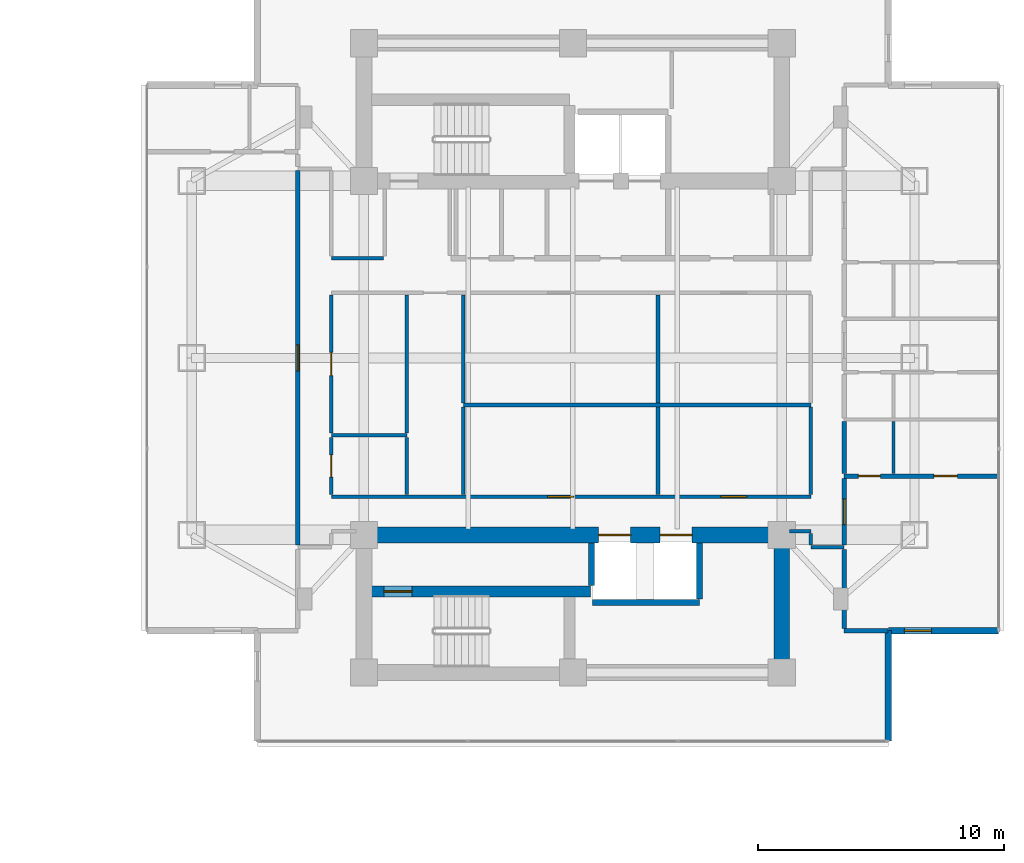
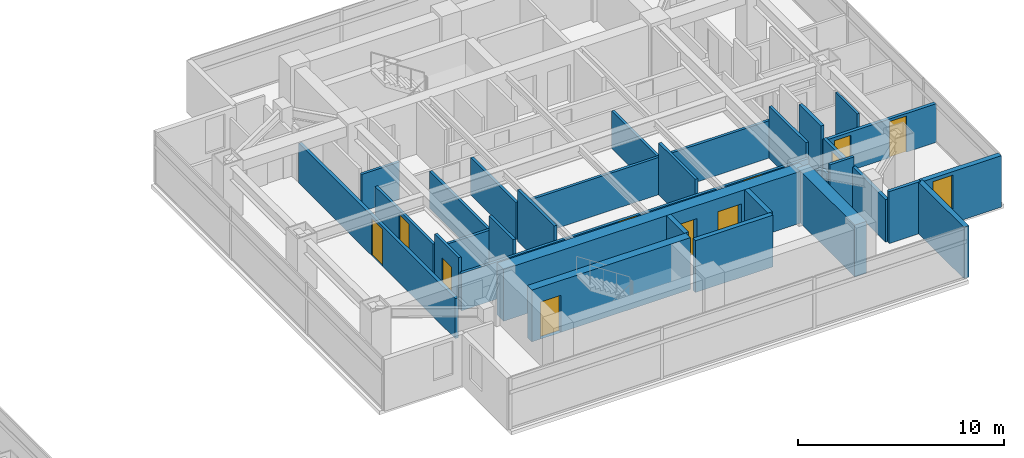
# One storey, part 18 of 27: 31 walls, 11 doors, 1 window, 12 openings.
"""IFC4 building model written with IfcOpenShell, lengths in metres."""

from ifc_helpers import new_model, si_unit, direction, frame, frame_2d, origin, place, context, subcontext, project, spatial, rectangle, extrude, material, layer, layer_set, type_object, element, fill, save


model = new_model("IFC4")

# Units and contexts
model_context = context("Model", 3, precision=1e-05, world=origin(), true_north=direction((0.0, 1.0)))
body_context = subcontext(model_context, "Body", "Model", "MODEL_VIEW")
ifc_project = project(units=[si_unit("LENGTHUNIT", "METRE"), si_unit("AREAUNIT", "SQUARE_METRE"), si_unit("VOLUMEUNIT", "CUBIC_METRE"), si_unit("PLANEANGLEUNIT", "RADIAN"), si_unit("MASSUNIT", "GRAM", prefix="KILO")], contexts=[model_context])

# Site, building, storey
site_placement = place(None, origin())
site = spatial("IfcSite", under=ifc_project, at=site_placement, CompositionType="ELEMENT")
building_placement = place(site_placement, origin())
building = spatial("IfcBuilding", under=site, at=building_placement, Name="Mirazonda Arch Towers", CompositionType="ELEMENT")
storey_placement = place(building_placement, frame((0.0, 0.0, 124.699951171875)))
storey = spatial("IfcBuildingStorey", under=building, at=storey_placement, Name="L35", CompositionType="ELEMENT", Elevation=124.699951171875)

# Wall, opening, door
ifc_material_1 = material(Name="Concrete C50/60", Category="concrete")
ifc_layer_1 = layer(ifc_material_1, 0.449951171875, Name="WALL-CORE-450")
ifc_layer_set_1 = layer_set([ifc_layer_1], Name="Concrete C50/60")
wall_type_1 = type_object("IfcWallType", Name="WALL-CORE-450", PredefinedType="SHEAR", material=ifc_layer_set_1)
wall_1_placement = place(storey_placement, frame((68.320068359375, 18.5, 0.0), z_axis=(0.0, 0.0, 1.0), x_axis=(1.0, 0.0, 0.0)))
wall_1 = element("IfcWall", 1, at=wall_1_placement, inside=storey, type_object=wall_type_1, Name="L35 Stair Core Shear Wall 014", PredefinedType="SHEAR", context=body_context, shape_type="SweptSolid", body=[
    extrude(rectangle(XDim=8.89990234375, YDim=0.449951171875, at=frame_2d((4.449951171875, 0.0))), origin(), (0.0, 0.0, 1.0), 3.080078125),
])
opening_1_placement = place(wall_1_placement, frame((0.4951171875, 0.0, 0.0)))
opening_1 = element("IfcOpeningElement", 2, at=opening_1_placement, cuts=wall_1, Name="Opening DR-135", PredefinedType="OPENING", context=body_context, shape_type="SweptSolid", body=[
    extrude(rectangle(XDim=1.14990234375, YDim=2.199951171875, at=frame_2d((0.574951171875, 1.10009765625))), frame((0.0, 0.23486328125, 0.0), z_axis=(0.0, -1.0, 0.0), x_axis=(1.0, 0.0, 0.0)), (0.0, 0.0, 1.0), 0.469970703125),
])
ifc_material_2 = material(Name="Architectural Brushed Steel S355", Category="steel")
door_type_1 = type_object("IfcDoorType", Name="DOOR-STAIR-FD90-1150", OperationType="NOTDEFINED", PredefinedType="DOOR", material=ifc_material_2)
door_1_placement = place(opening_1_placement, origin())
door_1 = element("IfcDoor", 3, at=door_1_placement, inside=storey, type_object=door_type_1, Name="L35 East Protected Stair South Door", OperationType="SINGLE_SWING_LEFT", OverallHeight=2.199951171875, OverallWidth=1.14990234375, PredefinedType="DOOR", context=body_context, shape_type="SweptSolid", body=[
    extrude(rectangle(XDim=1.14990234375, YDim=2.199951171875, at=frame_2d((0.574951171875, 1.10009765625))), frame((0.0, 0.02490234375, 0.0), z_axis=(0.0, -1.0, 0.0), x_axis=(1.0, 0.0, 0.0)), (0.0, 0.0, 1.0), 0.050048828125),
])
fill(opening_1, door_1)

# Wall
ifc_material_3 = material(Name="Concrete C60/75", Category="concrete")
ifc_layer_2 = layer(ifc_material_3, 0.64990234375, Name="WALL-CORE-650")
ifc_layer_set_2 = layer_set([ifc_layer_2], Name="Concrete C60/75")
wall_type_2 = type_object("IfcWallType", Name="WALL-CORE-650", PredefinedType="SHEAR", material=ifc_layer_set_2)
wall_2_placement = place(storey_placement, frame((85.0, 15.199951171875, 0.0), z_axis=(0.0, 0.0, 1.0), x_axis=(0.0, 1.0, 0.0)))
element("IfcWall", 4, at=wall_2_placement, inside=storey, type_object=wall_type_2, Name="L35 T2S-E Core Shear Wall", PredefinedType="SHEAR", context=body_context, shape_type="SweptSolid", body=[
    extrude(rectangle(XDim=5.60009765625, YDim=0.64990234375, at=frame_2d((2.800048828125, 0.0))), origin(), (0.0, 0.0, 1.0), 3.080078125),
])

# Wall, openings, doors
wall_3_placement = place(storey_placement, frame((68.0, 20.800048828125, 0.0), z_axis=(0.0, 0.0, 1.0), x_axis=(1.0, 0.0, 0.0)))
wall_3 = element("IfcWall", 5, at=wall_3_placement, inside=storey, type_object=wall_type_2, Name="L35 T2S-N Core Shear Wall", PredefinedType="SHEAR", context=body_context, shape_type="SweptSolid", body=[
    extrude(rectangle(XDim=17.0, YDim=0.64990234375, at=frame_2d((8.5, 0.0))), origin(), (0.0, 0.0, 1.0), 3.080078125),
])
opening_2_placement = place(wall_3_placement, frame((9.550048828125, 0.0, 0.0)))
opening_2 = element("IfcOpeningElement", 6, at=opening_2_placement, cuts=wall_3, Name="Opening LD-111", PredefinedType="OPENING", context=body_context, shape_type="SweptSolid", body=[
    extrude(rectangle(XDim=1.300048828125, YDim=2.300048828125, at=frame_2d((0.64990234375, 1.14990234375))), frame((0.0, 0.3349609375, 0.0), z_axis=(0.0, -1.0, 0.0), x_axis=(1.0, 0.0, 0.0)), (0.0, 0.0, 1.0), 0.669921875),
])
opening_3_placement = place(wall_3_placement, frame((12.050048828125, 0.0, 0.0)))
opening_3 = element("IfcOpeningElement", 7, at=opening_3_placement, cuts=wall_3, Name="Opening LD-111", PredefinedType="OPENING", context=body_context, shape_type="SweptSolid", body=[
    extrude(rectangle(XDim=1.300048828125, YDim=2.300048828125, at=frame_2d((0.64990234375, 1.14990234375))), frame((0.0, 0.3349609375, 0.0), z_axis=(0.0, -1.0, 0.0), x_axis=(1.0, 0.0, 0.0)), (0.0, 0.0, 1.0), 0.669921875),
])
door_type_2 = type_object("IfcDoorType", Name="DOOR-LIFT-LAND-1300", OperationType="NOTDEFINED", PredefinedType="DOOR", material=ifc_material_2)
door_2_placement = place(opening_2_placement, origin())
door_2 = element("IfcDoor", 8, at=door_2_placement, inside=storey, type_object=door_type_2, Name="L35 Lift Landing Sliding Door PL-T2H1", OperationType="DOUBLE_DOOR_SLIDING", OverallHeight=2.300048828125, OverallWidth=1.300048828125, PredefinedType="DOOR", context=body_context, shape_type="SweptSolid", body=[
    extrude(rectangle(XDim=1.300048828125, YDim=2.300048828125, at=frame_2d((0.64990234375, 1.14990234375))), frame((0.0, 0.02490234375, 0.0), z_axis=(0.0, -1.0, 0.0), x_axis=(1.0, 0.0, 0.0)), (0.0, 0.0, 1.0), 0.050048828125),
])
fill(opening_2, door_2)
door_3_placement = place(opening_3_placement, origin())
door_3 = element("IfcDoor", 9, at=door_3_placement, inside=storey, type_object=door_type_2, Name="L35 Lift Landing Sliding Door PL-T2H2", OperationType="DOUBLE_DOOR_SLIDING", OverallHeight=2.300048828125, OverallWidth=1.300048828125, PredefinedType="DOOR", context=body_context, shape_type="SweptSolid", body=[
    extrude(rectangle(XDim=1.300048828125, YDim=2.300048828125, at=frame_2d((0.64990234375, 1.14990234375))), frame((0.0, 0.02490234375, 0.0), z_axis=(0.0, -1.0, 0.0), x_axis=(1.0, 0.0, 0.0)), (0.0, 0.0, 1.0), 0.050048828125),
])
fill(opening_3, door_3)

# Wall, opening, window
ifc_material_4 = material(Name="Precast Concrete C40/50", Category="concrete")
ifc_layer_3 = layer(ifc_material_4, 0.280029296875, Name="WALL-EXT-WALL-280")
ifc_layer_set_3 = layer_set([ifc_layer_3], Name="Precast Concrete C40/50")
wall_type_3 = type_object("IfcWallType", Name="WALL-EXT-WALL-280", PredefinedType="SOLIDWALL", material=ifc_layer_set_3)
wall_4_placement = place(storey_placement, frame((89.33447265625, 16.90087890625, 0.0), z_axis=(0.0, 0.0, 1.0), x_axis=(1.0, 0.0, 0.0)))
wall_4 = element("IfcWall", 10, at=wall_4_placement, inside=storey, type_object=wall_type_3, Name="L35 T2 Corner Notch Return Wall WL-L35-T2-CSE1", PredefinedType="SOLIDWALL", context=body_context, shape_type="SweptSolid", body=[
    extrude(rectangle(XDim=4.486572265625, YDim=0.280029296875, at=frame_2d((2.2431640625, 0.0))), origin(), (0.0, 0.0, 1.0), 3.06005859375),
])
opening_4_placement = place(wall_4_placement, frame((0.64990234375, 0.0, 0.85009765625)))
opening_4 = element("IfcOpeningElement", 11, at=opening_4_placement, cuts=wall_4, Name="Opening WN-108", PredefinedType="OPENING", context=body_context, shape_type="SweptSolid", body=[
    extrude(rectangle(XDim=1.10009765625, YDim=2.0, at=frame_2d((0.550048828125, 1.0))), frame((0.0, 0.14990234375, 0.0), z_axis=(0.0, -1.0, 0.0), x_axis=(1.0, 0.0, 0.0)), (0.0, 0.0, 1.0), 0.300048828125),
])
ifc_material_5 = material(Name="Insulated Low-E Solar Glass", Category="glass")
window_type = type_object("IfcWindowType", Name="WIN-NOTCH-1100x2000", PartitioningType="SINGLE_PANEL", PredefinedType="WINDOW", material=ifc_material_5)
window_placement = place(opening_4_placement, origin())
window = element("IfcWindow", 12, at=window_placement, inside=storey, type_object=window_type, Name="L35 Punched Facade Window WN-L35-T2-CSE1", OverallHeight=2.0, OverallWidth=1.10009765625, PartitioningType="SINGLE_PANEL", PredefinedType="WINDOW", context=body_context, shape_type="SweptSolid", body=[
    extrude(rectangle(XDim=1.10009765625, YDim=2.0, at=frame_2d((0.550048828125, 1.0))), frame((0.0, 0.030029296875, 0.0), z_axis=(0.0, -1.0, 0.0), x_axis=(1.0, 0.0, 0.0)), (0.0, 0.0, 1.0), 0.06005859375),
])
fill(opening_4, window)

# Walls
wall_5_placement = place(storey_placement, frame((89.33447265625, 12.414306640625, 0.0), z_axis=(0.0, 0.0, 1.0), x_axis=(0.0, 1.0, 0.0)))
element("IfcWall", 13, at=wall_5_placement, inside=storey, type_object=wall_type_3, Name="L35 T2 Corner Notch Return Wall WL-L35-T2-CSE2", PredefinedType="SOLIDWALL", context=body_context, shape_type="SweptSolid", body=[
    extrude(rectangle(XDim=4.486572265625, YDim=0.280029296875, at=frame_2d((2.2431640625, 0.0))), origin(), (0.0, 0.0, 1.0), 3.06005859375),
])
ifc_material_6 = material(Name="Fire-Rated Gypsum Stud Partition")
ifc_layer_4 = layer(ifc_material_6, 0.14990234375, Name="WALL-PART-CORR-150")
ifc_layer_set_4 = layer_set([ifc_layer_4], Name="Fire-Rated Gypsum Stud Partition")
wall_type_4 = type_object("IfcWallType", Name="WALL-PART-CORR-150", PredefinedType="PARTITIONING", material=ifc_layer_set_4)
wall_6_placement = place(storey_placement, frame((86.179931640625, 20.300048828125, 0.0), z_axis=(0.0, 0.0, 1.0), x_axis=(1.0, 0.0, 0.0)))
element("IfcWall", 14, at=wall_6_placement, inside=storey, type_object=wall_type_4, Name="L35 Interior Partition 018", PredefinedType="PARTITIONING", context=body_context, shape_type="SweptSolid", body=[
    extrude(rectangle(XDim=1.360107421875, YDim=0.14990234375, at=frame_2d((0.68017578125, 0.0))), origin(), (0.0, 0.0, 1.0), 3.080078125),
])
wall_7_placement = place(storey_placement, frame((85.320068359375, 20.949951171875, 0.0), z_axis=(0.0, 0.0, 1.0), x_axis=(1.0, 0.0, 0.0)))
element("IfcWall", 15, at=wall_7_placement, inside=storey, type_object=wall_type_4, Name="L35 Interior Partition 020", PredefinedType="PARTITIONING", context=body_context, shape_type="SweptSolid", body=[
    extrude(rectangle(XDim=0.85986328125, YDim=0.14990234375, at=frame_2d((0.429931640625, 0.0))), origin(), (0.0, 0.0, 1.0), 2.47216796875),
])

# Wall, openings, doors
wall_8_placement = place(storey_placement, frame((66.679931640625, 22.35009765625, 0.0), z_axis=(0.0, 0.0, 1.0), x_axis=(1.0, 0.0, 0.0)))
wall_8 = element("IfcWall", 16, at=wall_8_placement, inside=storey, type_object=wall_type_4, Name="L35 Interior Partition 021", PredefinedType="PARTITIONING", context=body_context, shape_type="SweptSolid", body=[
    extrude(rectangle(XDim=19.5, YDim=0.14990234375, at=frame_2d((9.75, 0.0))), origin(), (0.0, 0.0, 1.0), 2.216064453125),
])
opening_5_placement = place(wall_8_placement, frame((8.801513671875, 0.0, 0.0)))
opening_5 = element("IfcOpeningElement", 17, at=opening_5_placement, cuts=wall_8, Name="Opening DR-121", PredefinedType="OPENING", context=body_context, shape_type="SweptSolid", body=[
    extrude(rectangle(XDim=1.050048828125, YDim=2.199951171875, at=frame_2d((0.52490234375, 1.10009765625))), frame((0.0, 0.0849609375, 0.0), z_axis=(0.0, -1.0, 0.0), x_axis=(1.0, 0.0, 0.0)), (0.0, 0.0, 1.0), 0.169921875),
])
opening_6_placement = place(wall_8_placement, frame((15.846435546875, 0.0, 0.0)))
opening_6 = element("IfcOpeningElement", 18, at=opening_6_placement, cuts=wall_8, Name="Opening DR-121", PredefinedType="OPENING", context=body_context, shape_type="SweptSolid", body=[
    extrude(rectangle(XDim=1.050048828125, YDim=2.199951171875, at=frame_2d((0.52490234375, 1.10009765625))), frame((0.0, 0.0849609375, 0.0), z_axis=(0.0, -1.0, 0.0), x_axis=(1.0, 0.0, 0.0)), (0.0, 0.0, 1.0), 0.169921875),
])
door_type_3 = type_object("IfcDoorType", Name="DOOR-SUITE-FD60-1050", OperationType="NOTDEFINED", PredefinedType="DOOR", material=ifc_material_2)
door_4_placement = place(opening_5_placement, origin())
door_4 = element("IfcDoor", 19, at=door_4_placement, inside=storey, type_object=door_type_3, Name="L35 Executive Club Lounge Door", OperationType="SINGLE_SWING_LEFT", OverallHeight=2.199951171875, OverallWidth=1.050048828125, PredefinedType="DOOR", context=body_context, shape_type="SweptSolid", body=[
    extrude(rectangle(XDim=1.050048828125, YDim=2.199951171875, at=frame_2d((0.52490234375, 1.10009765625))), frame((0.0, 0.02490234375, 0.0), z_axis=(0.0, -1.0, 0.0), x_axis=(1.0, 0.0, 0.0)), (0.0, 0.0, 1.0), 0.050048828125),
])
fill(opening_5, door_4)
door_5_placement = place(opening_6_placement, origin())
door_5 = element("IfcDoor", 20, at=door_5_placement, inside=storey, type_object=door_type_3, Name="L35 Business Reading Study Door", OperationType="SINGLE_SWING_RIGHT", OverallHeight=2.199951171875, OverallWidth=1.050048828125, PredefinedType="DOOR", context=body_context, shape_type="SweptSolid", body=[
    extrude(rectangle(XDim=1.050048828125, YDim=2.199951171875, at=frame_2d((0.52490234375, 1.10009765625))), frame((0.0, 0.02490234375, 0.0), z_axis=(0.0, -1.0, 0.0), x_axis=(1.0, 0.0, 0.0)), (0.0, 0.0, 1.0), 0.050048828125),
])
fill(opening_6, door_5)

# Walls
wall_9_placement = place(storey_placement, frame((66.679931640625, 24.85009765625, 0.0), z_axis=(0.0, 0.0, 1.0), x_axis=(1.0, 0.0, 0.0)))
element("IfcWall", 21, at=wall_9_placement, inside=storey, type_object=wall_type_4, Name="L35 Interior Partition 025", PredefinedType="PARTITIONING", context=body_context, shape_type="SweptSolid", body=[
    extrude(rectangle(XDim=3.070068359375, YDim=0.14990234375, at=frame_2d((1.53515625, 0.0))), origin(), (0.0, 0.0, 1.0), 2.216064453125),
])
wall_10_placement = place(storey_placement, frame((72.050048828125, 26.0849609375, 0.0), z_axis=(0.0, 0.0, 1.0), x_axis=(1.0, 0.0, 0.0)))
element("IfcWall", 22, at=wall_10_placement, inside=storey, type_object=wall_type_4, Name="L35 Interior Partition 031", PredefinedType="PARTITIONING", context=body_context, shape_type="SweptSolid", body=[
    extrude(rectangle(XDim=14.1298828125, YDim=0.14990234375, at=frame_2d((7.06494140625, 0.0))), origin(), (0.0, 0.0, 1.0), 2.216064453125),
])
wall_11_placement = place(storey_placement, frame((66.679931640625, 32.050048828125, 0.0), z_axis=(0.0, 0.0, 1.0), x_axis=(1.0, 0.0, 0.0)))
element("IfcWall", 23, at=wall_11_placement, inside=storey, type_object=wall_type_4, Name="L35 Interior Partition 041", PredefinedType="PARTITIONING", context=body_context, shape_type="SweptSolid", body=[
    extrude(rectangle(XDim=2.1201171875, YDim=0.14990234375, at=frame_2d((1.06005859375, 0.0))), origin(), (0.0, 0.0, 1.0), 2.216064453125),
])

# Wall, opening, door
wall_12_placement = place(storey_placement, frame((66.679931640625, 22.43505859375, 0.0), z_axis=(0.0, 0.0, 1.0), x_axis=(0.0, 1.0, 0.0)))
wall_12 = element("IfcWall", 24, at=wall_12_placement, inside=storey, type_object=wall_type_4, Name="L35 Interior Partition 119", PredefinedType="PARTITIONING", context=body_context, shape_type="SweptSolid", body=[
    extrude(rectangle(XDim=2.329833984375, YDim=0.14990234375, at=frame_2d((1.1650390625, 0.0))), origin(), (0.0, 0.0, 1.0), 3.080078125),
])
opening_7_placement = place(wall_12_placement, frame((0.715087890625, 0.0, 0.0)))
opening_7 = element("IfcOpeningElement", 25, at=opening_7_placement, cuts=wall_12, Name="Opening DR-120", PredefinedType="OPENING", context=body_context, shape_type="SweptSolid", body=[
    extrude(rectangle(XDim=0.89990234375, YDim=2.10009765625, at=frame_2d((0.449951171875, 1.050048828125))), frame((0.0, 0.0849609375, 0.0), z_axis=(0.0, -1.0, 0.0), x_axis=(1.0, 0.0, 0.0)), (0.0, 0.0, 1.0), 0.169921875),
])
door_type_4 = type_object("IfcDoorType", Name="DOOR-WC-900", OperationType="NOTDEFINED", PredefinedType="DOOR", material=ifc_material_2)
door_6_placement = place(opening_7_placement, origin())
door_6 = element("IfcDoor", 26, at=door_6_placement, inside=storey, type_object=door_type_4, Name="L35 Tower 2 Common Accessible WC Door", OperationType="SINGLE_SWING_RIGHT", OverallHeight=2.10009765625, OverallWidth=0.89990234375, PredefinedType="DOOR", context=body_context, shape_type="SweptSolid", body=[
    extrude(rectangle(XDim=0.89990234375, YDim=2.10009765625, at=frame_2d((0.449951171875, 1.050048828125))), frame((0.0, 0.02490234375, 0.0), z_axis=(0.0, -1.0, 0.0), x_axis=(1.0, 0.0, 0.0)), (0.0, 0.0, 1.0), 0.050048828125),
])
fill(opening_7, door_6)

wall_13_placement = place(storey_placement, frame((66.679931640625, 24.93505859375, 0.0), z_axis=(0.0, 0.0, 1.0), x_axis=(0.0, 1.0, 0.0)))
wall_13 = element("IfcWall", 27, at=wall_13_placement, inside=storey, type_object=wall_type_4, Name="L35 Interior Partition 120", PredefinedType="PARTITIONING", context=body_context, shape_type="SweptSolid", body=[
    extrude(rectangle(XDim=5.6298828125, YDim=0.14990234375, at=frame_2d((2.81494140625, 0.0))), origin(), (0.0, 0.0, 1.0), 2.3759765625),
])
opening_8_placement = place(wall_13_placement, frame((2.340087890625, 0.0, 0.0)))
opening_8 = element("IfcOpeningElement", 28, at=opening_8_placement, cuts=wall_13, Name="Opening DR-104", PredefinedType="OPENING", context=body_context, shape_type="SweptSolid", body=[
    extrude(rectangle(XDim=0.949951171875, YDim=2.14990234375, at=frame_2d((0.47509765625, 1.074951171875))), frame((0.0, 0.0849609375, 0.0), z_axis=(0.0, -1.0, 0.0), x_axis=(1.0, 0.0, 0.0)), (0.0, 0.0, 1.0), 0.169921875),
])
door_type_5 = type_object("IfcDoorType", Name="DOOR-ROOM-950", OperationType="NOTDEFINED", PredefinedType="DOOR", material=ifc_material_2)
door_7_placement = place(opening_8_placement, origin())
door_7 = element("IfcDoor", 29, at=door_7_placement, inside=storey, type_object=door_type_5, Name="L35 L35 East Courtyard Reading Study Door", OperationType="SINGLE_SWING_LEFT", OverallHeight=2.14990234375, OverallWidth=0.949951171875, PredefinedType="DOOR", context=body_context, shape_type="SweptSolid", body=[
    extrude(rectangle(XDim=0.949951171875, YDim=2.14990234375, at=frame_2d((0.47509765625, 1.074951171875))), frame((0.0, 0.02490234375, 0.0), z_axis=(0.0, -1.0, 0.0), x_axis=(1.0, 0.0, 0.0)), (0.0, 0.0, 1.0), 0.050048828125),
])
fill(opening_8, door_7)

# Walls
wall_14_placement = place(storey_placement, frame((69.743408203125, 22.43505859375, 0.0), z_axis=(0.0, 0.0, 1.0), x_axis=(0.0, 1.0, 0.0)))
element("IfcWall", 30, at=wall_14_placement, inside=storey, type_object=wall_type_4, Name="L35 Interior Partition 123", PredefinedType="PARTITIONING", context=body_context, shape_type="SweptSolid", body=[
    extrude(rectangle(XDim=2.329833984375, YDim=0.14990234375, at=frame_2d((1.1650390625, 0.0))), origin(), (0.0, 0.0, 1.0), 3.080078125),
])
wall_15_placement = place(storey_placement, frame((69.743408203125, 24.93505859375, 0.0), z_axis=(0.0, 0.0, 1.0), x_axis=(0.0, 1.0, 0.0)))
element("IfcWall", 31, at=wall_15_placement, inside=storey, type_object=wall_type_4, Name="L35 Interior Partition 124", PredefinedType="PARTITIONING", context=body_context, shape_type="SweptSolid", body=[
    extrude(rectangle(XDim=5.6298828125, YDim=0.14990234375, at=frame_2d((2.81494140625, 0.0))), origin(), (0.0, 0.0, 1.0), 2.216064453125),
])
wall_16_placement = place(storey_placement, frame((72.050048828125, 22.43505859375, 0.0), z_axis=(0.0, 0.0, 1.0), x_axis=(0.0, 1.0, 0.0)))
element("IfcWall", 32, at=wall_16_placement, inside=storey, type_object=wall_type_4, Name="L35 Interior Partition 127", PredefinedType="PARTITIONING", context=body_context, shape_type="SweptSolid", body=[
    extrude(rectangle(XDim=3.56494140625, YDim=0.14990234375, at=frame_2d((1.782470703125, 0.0))), origin(), (0.0, 0.0, 1.0), 3.080078125),
])
wall_17_placement = place(storey_placement, frame((72.050048828125, 26.169921875, 0.0), z_axis=(0.0, 0.0, 1.0), x_axis=(0.0, 1.0, 0.0)))
element("IfcWall", 33, at=wall_17_placement, inside=storey, type_object=wall_type_4, Name="L35 Interior Partition 128", PredefinedType="PARTITIONING", context=body_context, shape_type="SweptSolid", body=[
    extrude(rectangle(XDim=4.39501953125, YDim=0.14990234375, at=frame_2d((2.197509765625, 0.0))), origin(), (0.0, 0.0, 1.0), 2.216064453125),
])
wall_18_placement = place(storey_placement, frame((79.962890625, 22.43505859375, 0.0), z_axis=(0.0, 0.0, 1.0), x_axis=(0.0, 1.0, 0.0)))
element("IfcWall", 34, at=wall_18_placement, inside=storey, type_object=wall_type_4, Name="L35 Interior Partition 134", PredefinedType="PARTITIONING", context=body_context, shape_type="SweptSolid", body=[
    extrude(rectangle(XDim=3.56494140625, YDim=0.14990234375, at=frame_2d((1.782470703125, 0.0))), origin(), (0.0, 0.0, 1.0), 3.080078125),
])
wall_19_placement = place(storey_placement, frame((79.962890625, 26.169921875, 0.0), z_axis=(0.0, 0.0, 1.0), x_axis=(0.0, 1.0, 0.0)))
element("IfcWall", 35, at=wall_19_placement, inside=storey, type_object=wall_type_4, Name="L35 Interior Partition 135", PredefinedType="PARTITIONING", context=body_context, shape_type="SweptSolid", body=[
    extrude(rectangle(XDim=4.39501953125, YDim=0.14990234375, at=frame_2d((2.197509765625, 0.0))), origin(), (0.0, 0.0, 1.0), 2.216064453125),
])
wall_20_placement = place(storey_placement, frame((86.179931640625, 20.385009765625, 0.0), z_axis=(0.0, 0.0, 1.0), x_axis=(0.0, 1.0, 0.0)))
element("IfcWall", 36, at=wall_20_placement, inside=storey, type_object=wall_type_4, Name="L35 Interior Partition 141", PredefinedType="PARTITIONING", context=body_context, shape_type="SweptSolid", body=[
    extrude(rectangle(XDim=0.47998046875, YDim=0.14990234375, at=frame_2d((0.239990234375, 0.0))), origin(), (0.0, 0.0, 1.0), 2.47216796875),
])
wall_21_placement = place(storey_placement, frame((86.179931640625, 22.43505859375, 0.0), z_axis=(0.0, 0.0, 1.0), x_axis=(0.0, 1.0, 0.0)))
element("IfcWall", 37, at=wall_21_placement, inside=storey, type_object=wall_type_4, Name="L35 Interior Partition 142", PredefinedType="PARTITIONING", context=body_context, shape_type="SweptSolid", body=[
    extrude(rectangle(XDim=3.56494140625, YDim=0.14990234375, at=frame_2d((1.782470703125, 0.0))), origin(), (0.0, 0.0, 1.0), 3.080078125),
])
ifc_material_7 = material(Name="Fire-Rated Gypsum Twin-Stud Assembly")
ifc_layer_5 = layer(ifc_material_7, 0.179931640625, Name="WALL-PART-DEMISE-180")
ifc_layer_set_5 = layer_set([ifc_layer_5], Name="Fire-Rated Gypsum Twin-Stud Assembly")
wall_type_5 = type_object("IfcWallType", Name="WALL-PART-DEMISE-180", PredefinedType="PARTITIONING", material=ifc_layer_set_5)
wall_22_placement = place(storey_placement, frame((87.5400390625, 16.90087890625, 0.0), z_axis=(0.0, 0.0, 1.0), x_axis=(1.0, 0.0, 0.0)))
element("IfcWall", 38, at=wall_22_placement, inside=storey, type_object=wall_type_5, Name="L35 Interior Partition 010", PredefinedType="PARTITIONING", context=body_context, shape_type="SweptSolid", body=[
    extrude(rectangle(XDim=1.7744140625, YDim=0.179931640625, at=frame_2d((0.88720703125, 0.0))), origin(), (0.0, 0.0, 1.0), 3.080078125),
])

# Wall, openings, doors
wall_23_placement = place(storey_placement, frame((87.5400390625, 23.19189453125, 0.0), z_axis=(0.0, 0.0, 1.0), x_axis=(1.0, 0.0, 0.0)))
wall_23 = element("IfcWall", 39, at=wall_23_placement, inside=storey, type_object=wall_type_5, Name="L35 Interior Partition 024", PredefinedType="PARTITIONING", context=body_context, shape_type="SweptSolid", body=[
    extrude(rectangle(XDim=6.281005859375, YDim=0.179931640625, at=frame_2d((3.140625, 0.0))), origin(), (0.0, 0.0, 1.0), 2.299072265625),
])
opening_9_placement = place(wall_23_placement, frame((3.650390625, 0.0, 0.0)))
opening_9 = element("IfcOpeningElement", 40, at=opening_9_placement, cuts=wall_23, Name="Opening DR-104", PredefinedType="OPENING", context=body_context, shape_type="SweptSolid", body=[
    extrude(rectangle(XDim=0.949951171875, YDim=2.14990234375, at=frame_2d((0.47509765625, 1.074951171875))), frame((0.0, 0.099853515625, 0.0), z_axis=(0.0, -1.0, 0.0), x_axis=(1.0, 0.0, 0.0)), (0.0, 0.0, 1.0), 0.199951171875),
])
opening_10_placement = place(wall_23_placement, frame((0.574951171875, 0.0, 0.0)))
opening_10 = element("IfcOpeningElement", 41, at=opening_10_placement, cuts=wall_23, Name="Opening DR-120", PredefinedType="OPENING", context=body_context, shape_type="SweptSolid", body=[
    extrude(rectangle(XDim=0.89990234375, YDim=2.10009765625, at=frame_2d((0.449951171875, 1.050048828125))), frame((0.0, 0.099853515625, 0.0), z_axis=(0.0, -1.0, 0.0), x_axis=(1.0, 0.0, 0.0)), (0.0, 0.0, 1.0), 0.199951171875),
])
door_8_placement = place(opening_9_placement, origin())
door_8 = element("IfcDoor", 42, at=door_8_placement, inside=storey, type_object=door_type_5, Name="L35 Guestroom Study 1 Door", OperationType="SINGLE_SWING_LEFT", OverallHeight=2.14990234375, OverallWidth=0.949951171875, PredefinedType="DOOR", context=body_context, shape_type="SweptSolid", body=[
    extrude(rectangle(XDim=0.949951171875, YDim=2.14990234375, at=frame_2d((0.47509765625, 1.074951171875))), frame((0.0, 0.02490234375, 0.0), z_axis=(0.0, -1.0, 0.0), x_axis=(1.0, 0.0, 0.0)), (0.0, 0.0, 1.0), 0.050048828125),
])
fill(opening_9, door_8)
door_9_placement = place(opening_10_placement, origin())
door_9 = element("IfcDoor", 43, at=door_9_placement, inside=storey, type_object=door_type_4, Name="L35 En-Suite Bathroom 1 Door", OperationType="SINGLE_SWING_RIGHT", OverallHeight=2.10009765625, OverallWidth=0.89990234375, PredefinedType="DOOR", context=body_context, shape_type="SweptSolid", body=[
    extrude(rectangle(XDim=0.89990234375, YDim=2.10009765625, at=frame_2d((0.449951171875, 1.050048828125))), frame((0.0, 0.02490234375, 0.0), z_axis=(0.0, -1.0, 0.0), x_axis=(1.0, 0.0, 0.0)), (0.0, 0.0, 1.0), 0.050048828125),
])
fill(opening_10, door_9)

# Wall, opening, door
wall_24_placement = place(storey_placement, frame((65.320068359375, 20.385009765625, 0.0), z_axis=(0.0, 0.0, 1.0), x_axis=(0.0, 1.0, 0.0)))
wall_24 = element("IfcWall", 44, at=wall_24_placement, inside=storey, type_object=wall_type_5, Name="L35 Interior Partition 115", PredefinedType="PARTITIONING", context=body_context, shape_type="SweptSolid", body=[
    extrude(rectangle(XDim=15.22998046875, YDim=0.179931640625, at=frame_2d((7.614990234375, 0.0))), origin(), (0.0, 0.0, 1.0), 2.3759765625),
])
opening_11_placement = place(wall_24_placement, frame((7.090087890625, 0.0, 0.0)))
opening_11 = element("IfcOpeningElement", 45, at=opening_11_placement, cuts=wall_24, Name="Opening DR-121", PredefinedType="OPENING", context=body_context, shape_type="SweptSolid", body=[
    extrude(rectangle(XDim=1.050048828125, YDim=2.199951171875, at=frame_2d((0.52490234375, 1.10009765625))), frame((0.0, 0.099853515625, 0.0), z_axis=(0.0, -1.0, 0.0), x_axis=(1.0, 0.0, 0.0)), (0.0, 0.0, 1.0), 0.199951171875),
])
door_10_placement = place(opening_11_placement, origin())
door_10 = element("IfcDoor", 46, at=door_10_placement, inside=storey, type_object=door_type_3, Name="L35 Presidential Hotel Suite 1 Door", OperationType="SINGLE_SWING_LEFT", OverallHeight=2.199951171875, OverallWidth=1.050048828125, PredefinedType="DOOR", context=body_context, shape_type="SweptSolid", body=[
    extrude(rectangle(XDim=1.050048828125, YDim=2.199951171875, at=frame_2d((0.52490234375, 1.10009765625))), frame((0.0, 0.02490234375, 0.0), z_axis=(0.0, -1.0, 0.0), x_axis=(1.0, 0.0, 0.0)), (0.0, 0.0, 1.0), 0.050048828125),
])
fill(opening_11, door_10)

# Wall
wall_25_placement = place(storey_placement, frame((87.5400390625, 17.0009765625, 0.0), z_axis=(0.0, 0.0, 1.0), x_axis=(0.0, 1.0, 0.0)))
element("IfcWall", 47, at=wall_25_placement, inside=storey, type_object=wall_type_5, Name="L35 Interior Partition 145", PredefinedType="PARTITIONING", context=body_context, shape_type="SweptSolid", body=[
    extrude(rectangle(XDim=3.214111328125, YDim=0.179931640625, at=frame_2d((1.60693359375, 0.0))), origin(), (0.0, 0.0, 1.0), 2.52294921875),
])

# Wall, opening, door
wall_26_placement = place(storey_placement, frame((87.5400390625, 20.385009765625, 0.0), z_axis=(0.0, 0.0, 1.0), x_axis=(0.0, 1.0, 0.0)))
wall_26 = element("IfcWall", 48, at=wall_26_placement, inside=storey, type_object=wall_type_5, Name="L35 Interior Partition 146", PredefinedType="PARTITIONING", context=body_context, shape_type="SweptSolid", body=[
    extrude(rectangle(XDim=2.70703125, YDim=0.179931640625, at=frame_2d((1.353515625, 0.0))), origin(), (0.0, 0.0, 1.0), 2.47216796875),
])
opening_12_placement = place(wall_26_placement, frame((0.82861328125, 0.0, 0.0)))
opening_12 = element("IfcOpeningElement", 49, at=opening_12_placement, cuts=wall_26, Name="Opening DR-121", PredefinedType="OPENING", context=body_context, shape_type="SweptSolid", body=[
    extrude(rectangle(XDim=1.050048828125, YDim=2.199951171875, at=frame_2d((0.52490234375, 1.10009765625))), frame((0.0, 0.099853515625, 0.0), z_axis=(0.0, -1.0, 0.0), x_axis=(1.0, 0.0, 0.0)), (0.0, 0.0, 1.0), 0.199951171875),
])
door_11_placement = place(opening_12_placement, origin())
door_11 = element("IfcDoor", 50, at=door_11_placement, inside=storey, type_object=door_type_3, Name="L35 King Hotel Guestroom 1 Door", OperationType="SINGLE_SWING_RIGHT", OverallHeight=2.199951171875, OverallWidth=1.050048828125, PredefinedType="DOOR", context=body_context, shape_type="SweptSolid", body=[
    extrude(rectangle(XDim=1.050048828125, YDim=2.199951171875, at=frame_2d((0.52490234375, 1.10009765625))), frame((0.0, 0.02490234375, 0.0), z_axis=(0.0, -1.0, 0.0), x_axis=(1.0, 0.0, 0.0)), (0.0, 0.0, 1.0), 0.050048828125),
])
fill(opening_12, door_11)

# Walls
wall_27_placement = place(storey_placement, frame((87.5400390625, 23.2919921875, 0.0), z_axis=(0.0, 0.0, 1.0), x_axis=(0.0, 1.0, 0.0)))
element("IfcWall", 51, at=wall_27_placement, inside=storey, type_object=wall_type_5, Name="L35 Interior Partition 147", PredefinedType="PARTITIONING", context=body_context, shape_type="SweptSolid", body=[
    extrude(rectangle(XDim=2.12744140625, YDim=0.179931640625, at=frame_2d((1.063720703125, 0.0))), origin(), (0.0, 0.0, 1.0), 3.080078125),
])
ifc_material_8 = material(Name="Acoustic Fire-Rated Gypsum Partition")
ifc_layer_6 = layer(ifc_material_8, 0.125, Name="WALL-PART-UNIT-125")
ifc_layer_set_6 = layer_set([ifc_layer_6], Name="Acoustic Fire-Rated Gypsum Partition")
wall_type_6 = type_object("IfcWallType", Name="WALL-PART-UNIT-125", PredefinedType="PARTITIONING", material=ifc_layer_set_6)
wall_28_placement = place(storey_placement, frame((89.550048828125, 23.2919921875, 0.0), z_axis=(0.0, 0.0, 1.0), x_axis=(0.0, 1.0, 0.0)))
element("IfcWall", 52, at=wall_28_placement, inside=storey, type_object=wall_type_6, Name="L35 Interior Partition 153", PredefinedType="PARTITIONING", context=body_context, shape_type="SweptSolid", body=[
    extrude(rectangle(XDim=2.12744140625, YDim=0.125, at=frame_2d((1.063720703125, 0.0))), origin(), (0.0, 0.0, 1.0), 3.080078125),
])
ifc_material_9 = material(Name="Concrete C40/50", Category="concrete")
ifc_layer_7 = layer(ifc_material_9, 0.25, Name="WALL-SHAFT-250")
ifc_layer_set_7 = layer_set([ifc_layer_7], Name="Concrete C40/50")
wall_type_7 = type_object("IfcWallType", Name="WALL-SHAFT-250", PredefinedType="SOLIDWALL", material=ifc_layer_set_7)
wall_29_placement = place(storey_placement, frame((77.300048828125, 18.050048828125, 0.0), z_axis=(0.0, 0.0, 1.0), x_axis=(1.0, 0.0, 0.0)))
element("IfcWall", 53, at=wall_29_placement, inside=storey, type_object=wall_type_7, Name="L35 Interior Partition 011", PredefinedType="SOLIDWALL", context=body_context, shape_type="SweptSolid", body=[
    extrude(rectangle(XDim=4.349853515625, YDim=0.25, at=frame_2d((2.1748046875, 0.0))), origin(), (0.0, 0.0, 1.0), 3.080078125),
])
wall_30_placement = place(storey_placement, frame((77.260009765625, 18.735107421875, 0.0), z_axis=(0.0, 0.0, 1.0), x_axis=(0.0, 1.0, 0.0)))
element("IfcWall", 54, at=wall_30_placement, inside=storey, type_object=wall_type_7, Name="L35 Interior Partition 133", PredefinedType="SOLIDWALL", context=body_context, shape_type="SweptSolid", body=[
    extrude(rectangle(XDim=1.744873046875, YDim=0.25, at=frame_2d((0.87255859375, 0.0))), origin(), (0.0, 0.0, 1.0), 3.080078125),
])
wall_31_placement = place(storey_placement, frame((81.64990234375, 18.18505859375, 0.0), z_axis=(0.0, 0.0, 1.0), x_axis=(0.0, 1.0, 0.0)))
element("IfcWall", 55, at=wall_31_placement, inside=storey, type_object=wall_type_7, Name="L35 Interior Partition 139", PredefinedType="SOLIDWALL", context=body_context, shape_type="SweptSolid", body=[
    extrude(rectangle(XDim=2.294921875, YDim=0.25, at=frame_2d((1.1474609375, 0.0))), origin(), (0.0, 0.0, 1.0), 3.080078125),
])

save(model, "model.ifc")
